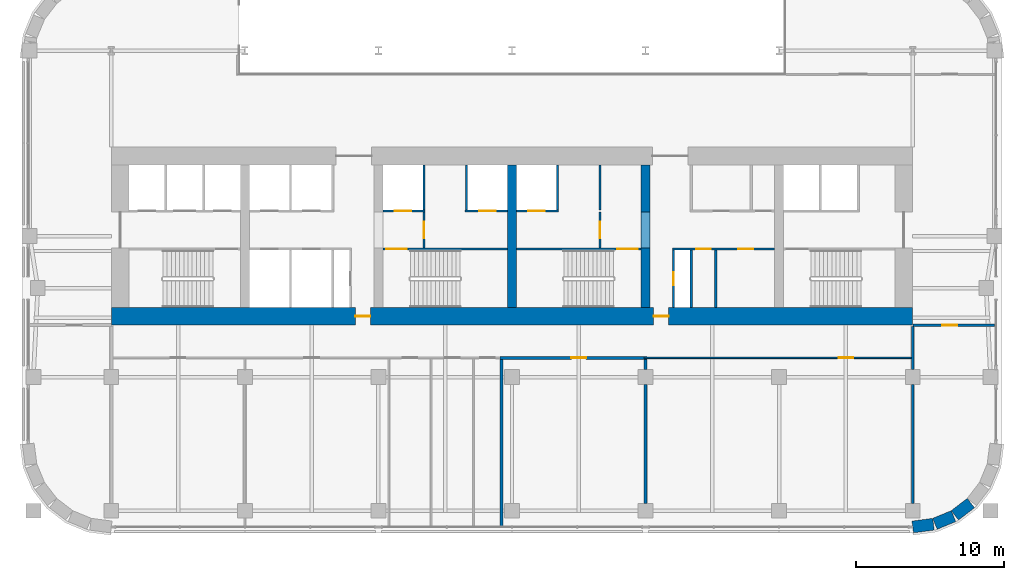
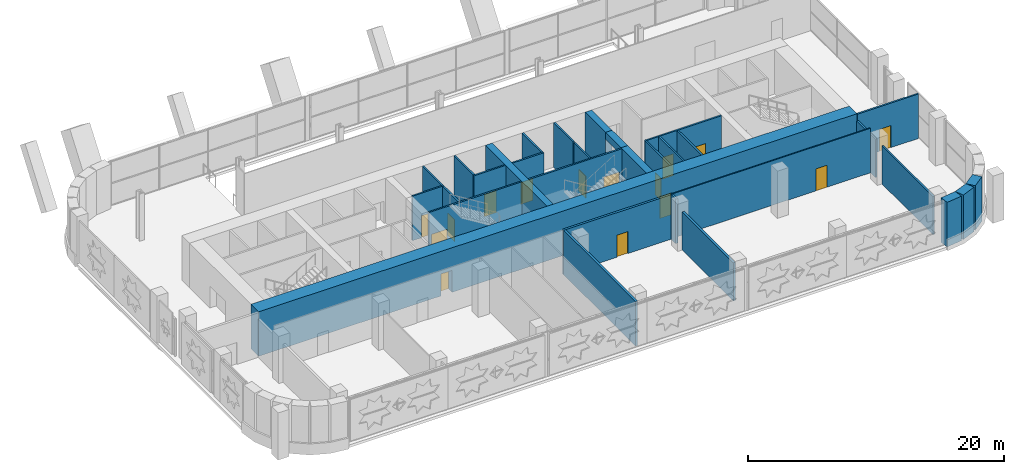
# One storey, part 14 of 21: 31 walls, 15 doors, 15 openings.
"""IFC4 building model written with IfcOpenShell, lengths in metres."""

from ifc_helpers import new_model, si_unit, direction, frame, frame_2d, origin, place, context, subcontext, project, spatial, rectangle, extrude, material, layer, layer_set, type_object, element, fill, save


model = new_model("IFC4")

# Units and contexts
model_context = context("Model", 3, precision=1e-05, world=origin(), true_north=direction((0.0, 1.0)))
body_context = subcontext(model_context, "Body", "Model", "MODEL_VIEW")
ifc_project = project(units=[si_unit("LENGTHUNIT", "METRE"), si_unit("AREAUNIT", "SQUARE_METRE"), si_unit("VOLUMEUNIT", "CUBIC_METRE"), si_unit("PLANEANGLEUNIT", "RADIAN"), si_unit("MASSUNIT", "GRAM", prefix="KILO")], contexts=[model_context])

# Site, building, storey
site_placement = place(None, origin())
site = spatial("IfcSite", under=ifc_project, at=site_placement, CompositionType="ELEMENT")
building_placement = place(site_placement, origin())
building = spatial("IfcBuilding", under=site, at=building_placement, Name="Zellij Exchange Tower", CompositionType="ELEMENT")
storey_placement = place(building_placement, frame((0.0, 0.0, 43.5)))
storey = spatial("IfcBuildingStorey", under=building, at=storey_placement, Name="L07", CompositionType="ELEMENT", Elevation=43.5)

# Walls
ifc_material_1 = material(Name="Concrete C70/85", Category="concrete")
ifc_layer_1 = layer(ifc_material_1, 0.60009765625)
ifc_layer_set_1 = layer_set([ifc_layer_1], Name="Concrete C70/85")
wall_type_1 = type_object("IfcWallType", Name="CORE-CW 600 C70/85", PredefinedType="SHEAR", material=ifc_layer_set_1)
wall_1_placement = place(storey_placement, frame((0.0, -12.800048828125, 0.0), z_axis=(0.0, 0.0, 1.0), x_axis=(0.0, 1.0, 0.0)))
element("IfcWall", 1, at=wall_1_placement, inside=storey, type_object=wall_type_1, Name="Core cross wall x 0 L07", PredefinedType="SHEAR", context=body_context, shape_type="SweptSolid", body=[
    extrude(rectangle(XDim=9.60009765625, YDim=0.60009765625, at=frame_2d((4.800048828125, 0.0))), origin(), (0.0, 0.0, 1.0), 4.25),
])
wall_2_placement = place(storey_placement, frame((9.0, -12.800048828125, 0.0), z_axis=(0.0, 0.0, 1.0), x_axis=(0.0, 1.0, 0.0)))
element("IfcWall", 2, at=wall_2_placement, inside=storey, type_object=wall_type_1, Name="Core cross wall pier x 9 a L07", PredefinedType="SHEAR", context=body_context, shape_type="SweptSolid", body=[
    extrude(rectangle(XDim=4.0, YDim=0.60009765625, at=frame_2d((2.0, 0.0))), origin(), (0.0, 0.0, 1.0), 4.25),
])
wall_3_placement = place(storey_placement, frame((9.0, -6.375, 0.0), z_axis=(0.0, 0.0, 1.0), x_axis=(0.0, 1.0, 0.0)))
element("IfcWall", 3, at=wall_3_placement, inside=storey, type_object=wall_type_1, Name="Core cross wall pier x 9 b L07", PredefinedType="SHEAR", context=body_context, shape_type="SweptSolid", body=[
    extrude(rectangle(XDim=3.175048828125, YDim=0.60009765625, at=frame_2d((1.58740234375, 0.0))), origin(), (0.0, 0.0, 1.0), 4.25),
])
wall_4_placement = place(storey_placement, frame((9.0, -8.800048828125, 3.60009765625), z_axis=(0.0, 0.0, 1.0), x_axis=(0.0, 1.0, 0.0)))
element("IfcWall", 4, at=wall_4_placement, inside=storey, type_object=wall_type_1, Name="Core cross wall over opening x 9 L07", PredefinedType="SHEAR", context=body_context, shape_type="SweptSolid", body=[
    extrude(rectangle(XDim=2.425048828125, YDim=0.60009765625, at=frame_2d((1.21240234375, 0.0))), origin(), (0.0, 0.0, 1.0), 0.64990234375),
])

# Wall, opening, door
ifc_material_2 = material(Name="Gypsum shaft wall system")
ifc_layer_2 = layer(ifc_material_2, 0.14990234375)
ifc_layer_set_2 = layer_set([ifc_layer_2], Name="Gypsum shaft wall system")
wall_type_2 = type_object("IfcWallType", Name="CORE-PW 150 Firefighting lobby wall", PredefinedType="PARTITIONING", material=ifc_layer_set_2)
wall_5_placement = place(storey_placement, frame((-5.925048828125, -8.800048828125, 0.0), z_axis=(0.0, 0.0, 1.0), x_axis=(0.0, 1.0, 0.0)))
wall_5 = element("IfcWall", 5, at=wall_5_placement, inside=storey, type_object=wall_type_2, Name="Firefighting lobby wall L07", PredefinedType="PARTITIONING", context=body_context, shape_type="SweptSolid", body=[
    extrude(rectangle(XDim=2.425048828125, YDim=0.14990234375, at=frame_2d((1.21240234375, 0.0))), origin(), (0.0, 0.0, 1.0), 4.25),
])
opening_1_placement = place(wall_5_placement, frame((0.662109375, 0.0, 0.0)))
opening_1 = element("IfcOpeningElement", 6, at=opening_1_placement, cuts=wall_5, Name="Opening CA-06.15", PredefinedType="OPENING", context=body_context, shape_type="SweptSolid", body=[
    extrude(rectangle(XDim=1.10009765625, YDim=2.10009765625, at=frame_2d((0.550048828125, 1.050048828125))), frame((0.0, 0.0869140625, 0.0), z_axis=(0.0, -1.0, 0.0), x_axis=(1.0, 0.0, 0.0)), (0.0, 0.0, 1.0), 0.173828125),
])
ifc_material_3 = material(Name="Hollow metal fire door")
door_type_1 = type_object("IfcDoorType", Name="CORE-D F Firefighting lobby door 1100x2100 1 HR", OperationType="NOTDEFINED", PredefinedType="DOOR", material=ifc_material_3)
door_1_placement = place(opening_1_placement, origin())
door_1 = element("IfcDoor", 7, at=door_1_placement, inside=storey, type_object=door_type_1, Name="Firefighting lobby door CA-06.15", OperationType="SINGLE_SWING_LEFT", OverallHeight=2.10009765625, OverallWidth=1.10009765625, PredefinedType="DOOR", context=body_context, shape_type="SweptSolid", body=[
    extrude(rectangle(XDim=1.10009765625, YDim=2.10009765625, at=frame_2d((0.550048828125, 1.050048828125))), frame((0.0, 0.02490234375, 0.0), z_axis=(0.0, -1.0, 0.0), x_axis=(1.0, 0.0, 0.0)), (0.0, 0.0, 1.0), 0.050048828125),
])
fill(opening_1, door_1)

wall_6_placement = place(storey_placement, frame((5.925048828125, -8.800048828125, 0.0), z_axis=(0.0, 0.0, 1.0), x_axis=(0.0, 1.0, 0.0)))
wall_6 = element("IfcWall", 8, at=wall_6_placement, inside=storey, type_object=wall_type_2, Name="Firefighting lobby wall L07", PredefinedType="PARTITIONING", context=body_context, shape_type="SweptSolid", body=[
    extrude(rectangle(XDim=2.425048828125, YDim=0.14990234375, at=frame_2d((1.21240234375, 0.0))), origin(), (0.0, 0.0, 1.0), 4.25),
])
opening_2_placement = place(wall_6_placement, frame((0.662109375, 0.0, 0.0)))
opening_2 = element("IfcOpeningElement", 9, at=opening_2_placement, cuts=wall_6, Name="Opening CA-06.18", PredefinedType="OPENING", context=body_context, shape_type="SweptSolid", body=[
    extrude(rectangle(XDim=1.10009765625, YDim=2.10009765625, at=frame_2d((0.550048828125, 1.050048828125))), frame((0.0, 0.0869140625, 0.0), z_axis=(0.0, -1.0, 0.0), x_axis=(1.0, 0.0, 0.0)), (0.0, 0.0, 1.0), 0.173828125),
])
door_2_placement = place(opening_2_placement, origin())
door_2 = element("IfcDoor", 10, at=door_2_placement, inside=storey, type_object=door_type_1, Name="Firefighting lobby door CA-06.18", OperationType="SINGLE_SWING_RIGHT", OverallHeight=2.10009765625, OverallWidth=1.10009765625, PredefinedType="DOOR", context=body_context, shape_type="SweptSolid", body=[
    extrude(rectangle(XDim=1.10009765625, YDim=2.10009765625, at=frame_2d((0.550048828125, 1.050048828125))), frame((0.0, 0.02490234375, 0.0), z_axis=(0.0, -1.0, 0.0), x_axis=(1.0, 0.0, 0.0)), (0.0, 0.0, 1.0), 0.050048828125),
])
fill(opening_2, door_2)

# Wall
ifc_material_4 = material(Name="Gypsum board partition")
ifc_layer_3 = layer(ifc_material_4, 0.14990234375)
ifc_layer_set_3 = layer_set([ifc_layer_3], Name="Gypsum board partition")
wall_type_3 = type_object("IfcWallType", Name="CORE-PW 150 Lift lobby wall", PredefinedType="PARTITIONING", material=ifc_layer_set_3)
wall_7_placement = place(storey_placement, frame((5.925048828125, -6.22509765625, 0.0), z_axis=(0.0, 0.0, 1.0), x_axis=(0.0, 1.0, 0.0)))
element("IfcWall", 11, at=wall_7_placement, inside=storey, type_object=wall_type_3, Name="Lift lobby wall L07", PredefinedType="PARTITIONING", context=body_context, shape_type="SweptSolid", body=[
    extrude(rectangle(XDim=3.025146484375, YDim=0.14990234375, at=frame_2d((1.5126953125, 0.0))), origin(), (0.0, 0.0, 1.0), 4.25),
])

# Wall, opening, door
wall_8_placement = place(storey_placement, frame((10.875, -12.800048828125, 0.0), z_axis=(0.0, 0.0, 1.0), x_axis=(0.0, 1.0, 0.0)))
wall_8 = element("IfcWall", 12, at=wall_8_placement, inside=storey, type_object=wall_type_3, Name="Lift lobby wall L07", PredefinedType="PARTITIONING", context=body_context, shape_type="SweptSolid", body=[
    extrude(rectangle(XDim=3.85009765625, YDim=0.14990234375, at=frame_2d((1.925048828125, 0.0))), origin(), (0.0, 0.0, 1.0), 4.25),
])
opening_3_placement = place(wall_8_placement, frame((1.47509765625, 0.0, 0.0)))
opening_3 = element("IfcOpeningElement", 13, at=opening_3_placement, cuts=wall_8, Name="Opening CA-06.22", PredefinedType="OPENING", context=body_context, shape_type="SweptSolid", body=[
    extrude(rectangle(XDim=0.89990234375, YDim=2.10009765625, at=frame_2d((0.449951171875, 1.050048828125))), frame((0.0, 0.0869140625, 0.0), z_axis=(0.0, -1.0, 0.0), x_axis=(1.0, 0.0, 0.0)), (0.0, 0.0, 1.0), 0.173828125),
])
door_type_2 = type_object("IfcDoorType", Name="CORE-D RD Riser door 900x2100 1.5 HR", OperationType="NOTDEFINED", PredefinedType="DOOR", material=ifc_material_3)
door_3_placement = place(opening_3_placement, origin())
door_3 = element("IfcDoor", 14, at=door_3_placement, inside=storey, type_object=door_type_2, Name="Riser door CA-06.22", OperationType="SINGLE_SWING_LEFT", OverallHeight=2.10009765625, OverallWidth=0.89990234375, PredefinedType="DOOR", context=body_context, shape_type="SweptSolid", body=[
    extrude(rectangle(XDim=0.89990234375, YDim=2.10009765625, at=frame_2d((0.449951171875, 1.050048828125))), frame((0.0, 0.02490234375, 0.0), z_axis=(0.0, -1.0, 0.0), x_axis=(1.0, 0.0, 0.0)), (0.0, 0.0, 1.0), 0.050048828125),
])
fill(opening_3, door_3)

# Walls
for number, where, z_axis, x_axis, name in (
    (15, (12.074951171875, -12.800048828125, 0.0), (0.0, 0.0, 1.0), (0.0, 1.0, 0.0), "Lift lobby wall L07"),
    (16, (13.72509765625, -12.800048828125, 0.0), (0.0, 0.0, 1.0), (0.0, 1.0, 0.0), "Lift lobby wall L07"),
):
    element("IfcWall", number, at=place(storey_placement, frame(where, z_axis=z_axis, x_axis=x_axis)), inside=storey, type_object=wall_type_3, Name=name, PredefinedType="PARTITIONING", context=body_context, shape_type="SweptSolid", body=[
        extrude(rectangle(XDim=3.85009765625, YDim=0.14990234375, at=frame_2d((1.925048828125, 0.0))), origin(), (0.0, 0.0, 1.0), 4.25),
    ])

# Wall, openings, doors
wall_9_placement = place(storey_placement, frame((10.800048828125, -8.875, 0.0), z_axis=(0.0, 0.0, 1.0), x_axis=(1.0, 0.0, 0.0)))
wall_9 = element("IfcWall", 17, at=wall_9_placement, inside=storey, type_object=wall_type_3, Name="Lift lobby wall L07", PredefinedType="PARTITIONING", context=body_context, shape_type="SweptSolid", body=[
    extrude(rectangle(XDim=6.89990234375, YDim=0.14990234375, at=frame_2d((3.449951171875, 0.0))), origin(), (0.0, 0.0, 1.0), 4.25),
])
opening_4_placement = place(wall_9_placement, frame((1.60009765625, 0.0, 0.0)))
opening_4 = element("IfcOpeningElement", 18, at=opening_4_placement, cuts=wall_9, Name="Opening CA-06.23", PredefinedType="OPENING", context=body_context, shape_type="SweptSolid", body=[
    extrude(rectangle(XDim=1.0, YDim=2.10009765625, at=frame_2d((0.5, 1.050048828125))), frame((0.0, 0.0869140625, 0.0), z_axis=(0.0, -1.0, 0.0), x_axis=(1.0, 0.0, 0.0)), (0.0, 0.0, 1.0), 0.173828125),
])
opening_5_placement = place(wall_9_placement, frame((4.449951171875, 0.0, 0.0)))
opening_5 = element("IfcOpeningElement", 19, at=opening_5_placement, cuts=wall_9, Name="Opening CA-06.25", PredefinedType="OPENING", context=body_context, shape_type="SweptSolid", body=[
    extrude(rectangle(XDim=1.0, YDim=2.10009765625, at=frame_2d((0.5, 1.050048828125))), frame((0.0, 0.0869140625, 0.0), z_axis=(0.0, -1.0, 0.0), x_axis=(1.0, 0.0, 0.0)), (0.0, 0.0, 1.0), 0.173828125),
])
door_type_3 = type_object("IfcDoorType", Name="CORE-D CD Core room door 1000x2100 1 HR", OperationType="NOTDEFINED", PredefinedType="DOOR", material=ifc_material_3)
door_4_placement = place(opening_4_placement, origin())
door_4 = element("IfcDoor", 20, at=door_4_placement, inside=storey, type_object=door_type_3, Name="Core room door CA-06.23", OperationType="SINGLE_SWING_RIGHT", OverallHeight=2.10009765625, OverallWidth=1.0, PredefinedType="DOOR", context=body_context, shape_type="SweptSolid", body=[
    extrude(rectangle(XDim=1.0, YDim=2.10009765625, at=frame_2d((0.5, 1.050048828125))), frame((0.0, 0.02490234375, 0.0), z_axis=(0.0, -1.0, 0.0), x_axis=(1.0, 0.0, 0.0)), (0.0, 0.0, 1.0), 0.050048828125),
])
fill(opening_4, door_4)
door_5_placement = place(opening_5_placement, origin())
door_5 = element("IfcDoor", 21, at=door_5_placement, inside=storey, type_object=door_type_3, Name="Core room door CA-06.25", OperationType="SINGLE_SWING_LEFT", OverallHeight=2.10009765625, OverallWidth=1.0, PredefinedType="DOOR", context=body_context, shape_type="SweptSolid", body=[
    extrude(rectangle(XDim=1.0, YDim=2.10009765625, at=frame_2d((0.5, 1.050048828125))), frame((0.0, 0.02490234375, 0.0), z_axis=(0.0, -1.0, 0.0), x_axis=(1.0, 0.0, 0.0)), (0.0, 0.0, 1.0), 0.050048828125),
])
fill(opening_5, door_5)

# Walls
ifc_layer_4 = layer(ifc_material_2, 0.14990234375)
ifc_layer_set_4 = layer_set([ifc_layer_4], Name="Gypsum shaft wall system")
wall_type_4 = type_object("IfcWallType", Name="CORE-PW 150 Lift shaft wall", PredefinedType="PARTITIONING", material=ifc_layer_set_4)
for number, where, z_axis, x_axis, name in (
    (22, (-3.074951171875, -6.22509765625, 0.0), (0.0, 0.0, 1.0), (0.0, 1.0, 0.0), "Lift shaft wall L07"),
    (23, (-5.925048828125, -6.22509765625, 0.0), (0.0, 0.0, 1.0), (0.0, 1.0, 0.0), "Lift shaft wall L07"),
    (24, (3.074951171875, -6.22509765625, 0.0), (0.0, 0.0, 1.0), (0.0, 1.0, 0.0), "Lift shaft wall L07"),
):
    element("IfcWall", number, at=place(storey_placement, frame(where, z_axis=z_axis, x_axis=x_axis)), inside=storey, type_object=wall_type_4, Name=name, PredefinedType="PARTITIONING", context=body_context, shape_type="SweptSolid", body=[
        extrude(rectangle(XDim=3.025146484375, YDim=0.14990234375, at=frame_2d((1.5126953125, 0.0))), origin(), (0.0, 0.0, 1.0), 4.25),
    ])

# Wall, opening, door
wall_10_placement = place(storey_placement, frame((-8.699951171875, -6.300048828125, 0.0), z_axis=(0.0, 0.0, 1.0), x_axis=(1.0, 0.0, 0.0)))
wall_10 = element("IfcWall", 25, at=wall_10_placement, inside=storey, type_object=wall_type_4, Name="Lift shaft wall L07", PredefinedType="PARTITIONING", context=body_context, shape_type="SweptSolid", body=[
    extrude(rectangle(XDim=2.849853515625, YDim=0.14990234375, at=frame_2d((1.4248046875, 0.0))), origin(), (0.0, 0.0, 1.0), 4.25),
])
opening_6_placement = place(wall_10_placement, frame((0.800048828125, 0.0, 0.0)))
opening_6 = element("IfcOpeningElement", 26, at=opening_6_placement, cuts=wall_10, Name="Opening CA-06.14", PredefinedType="OPENING", context=body_context, shape_type="SweptSolid", body=[
    extrude(rectangle(XDim=1.10009765625, YDim=2.10009765625, at=frame_2d((0.550048828125, 1.050048828125))), frame((0.0, 0.0869140625, 0.0), z_axis=(0.0, -1.0, 0.0), x_axis=(1.0, 0.0, 0.0)), (0.0, 0.0, 1.0), 0.173828125),
])
door_type_4 = type_object("IfcDoorType", Name="CORE-D LD Lift landing door 1100x2100 1.5 HR", OperationType="NOTDEFINED", PredefinedType="DOOR", material=ifc_material_3)
door_6_placement = place(opening_6_placement, origin())
door_6 = element("IfcDoor", 27, at=door_6_placement, inside=storey, type_object=door_type_4, Name="Lift landing door CA-06.14", OperationType="SLIDING_TO_RIGHT", OverallHeight=2.10009765625, OverallWidth=1.10009765625, PredefinedType="DOOR", context=body_context, shape_type="SweptSolid", body=[
    extrude(rectangle(XDim=1.10009765625, YDim=2.10009765625, at=frame_2d((0.550048828125, 1.050048828125))), frame((0.0, 0.02490234375, 0.0), z_axis=(0.0, -1.0, 0.0), x_axis=(1.0, 0.0, 0.0)), (0.0, 0.0, 1.0), 0.050048828125),
])
fill(opening_6, door_6)

wall_11_placement = place(storey_placement, frame((-3.14990234375, -6.300048828125, 0.0), z_axis=(0.0, 0.0, 1.0), x_axis=(1.0, 0.0, 0.0)))
wall_11 = element("IfcWall", 28, at=wall_11_placement, inside=storey, type_object=wall_type_4, Name="Lift shaft wall L07", PredefinedType="PARTITIONING", context=body_context, shape_type="SweptSolid", body=[
    extrude(rectangle(XDim=2.849853515625, YDim=0.14990234375, at=frame_2d((1.4248046875, 0.0))), origin(), (0.0, 0.0, 1.0), 4.25),
])
opening_7_placement = place(wall_11_placement, frame((0.949951171875, 0.0, 0.0)))
opening_7 = element("IfcOpeningElement", 29, at=opening_7_placement, cuts=wall_11, Name="Opening CA-06.16", PredefinedType="OPENING", context=body_context, shape_type="SweptSolid", body=[
    extrude(rectangle(XDim=1.10009765625, YDim=2.10009765625, at=frame_2d((0.550048828125, 1.050048828125))), frame((0.0, 0.0869140625, 0.0), z_axis=(0.0, -1.0, 0.0), x_axis=(1.0, 0.0, 0.0)), (0.0, 0.0, 1.0), 0.173828125),
])
door_7_placement = place(opening_7_placement, origin())
door_7 = element("IfcDoor", 30, at=door_7_placement, inside=storey, type_object=door_type_4, Name="Lift landing door CA-06.16", OperationType="SLIDING_TO_RIGHT", OverallHeight=2.10009765625, OverallWidth=1.10009765625, PredefinedType="DOOR", context=body_context, shape_type="SweptSolid", body=[
    extrude(rectangle(XDim=1.10009765625, YDim=2.10009765625, at=frame_2d((0.550048828125, 1.050048828125))), frame((0.0, 0.02490234375, 0.0), z_axis=(0.0, -1.0, 0.0), x_axis=(1.0, 0.0, 0.0)), (0.0, 0.0, 1.0), 0.050048828125),
])
fill(opening_7, door_7)

wall_12_placement = place(storey_placement, frame((0.300048828125, -6.300048828125, 0.0), z_axis=(0.0, 0.0, 1.0), x_axis=(1.0, 0.0, 0.0)))
wall_12 = element("IfcWall", 31, at=wall_12_placement, inside=storey, type_object=wall_type_4, Name="Lift shaft wall L07", PredefinedType="PARTITIONING", context=body_context, shape_type="SweptSolid", body=[
    extrude(rectangle(XDim=2.849853515625, YDim=0.14990234375, at=frame_2d((1.4248046875, 0.0))), origin(), (0.0, 0.0, 1.0), 4.25),
])
opening_8_placement = place(wall_12_placement, frame((0.800048828125, 0.0, 0.0)))
opening_8 = element("IfcOpeningElement", 32, at=opening_8_placement, cuts=wall_12, Name="Opening CA-06.17", PredefinedType="OPENING", context=body_context, shape_type="SweptSolid", body=[
    extrude(rectangle(XDim=1.10009765625, YDim=2.10009765625, at=frame_2d((0.550048828125, 1.050048828125))), frame((0.0, 0.0869140625, 0.0), z_axis=(0.0, -1.0, 0.0), x_axis=(1.0, 0.0, 0.0)), (0.0, 0.0, 1.0), 0.173828125),
])
door_8_placement = place(opening_8_placement, origin())
door_8 = element("IfcDoor", 33, at=door_8_placement, inside=storey, type_object=door_type_4, Name="Lift landing door CA-06.17", OperationType="SLIDING_TO_LEFT", OverallHeight=2.10009765625, OverallWidth=1.10009765625, PredefinedType="DOOR", context=body_context, shape_type="SweptSolid", body=[
    extrude(rectangle(XDim=1.10009765625, YDim=2.10009765625, at=frame_2d((0.550048828125, 1.050048828125))), frame((0.0, 0.02490234375, 0.0), z_axis=(0.0, -1.0, 0.0), x_axis=(1.0, 0.0, 0.0)), (0.0, 0.0, 1.0), 0.050048828125),
])
fill(opening_8, door_8)

# Wall, openings, doors
ifc_layer_5 = layer(ifc_material_1, 1.199951171875)
ifc_layer_set_5 = layer_set([ifc_layer_5], Name="Concrete C70/85")
wall_type_5 = type_object("IfcWallType", Name="CORE-SW 1200 C70/85", PredefinedType="SHEAR", material=ifc_layer_set_5)
wall_13_placement = place(storey_placement, frame((-27.0, -13.39990234375, 0.0), z_axis=(0.0, 0.0, 1.0), x_axis=(1.0, 0.0, 0.0)))
wall_13 = element("IfcWall", 34, at=wall_13_placement, inside=storey, type_object=wall_type_5, Name="Core shear wall rear L07", PredefinedType="SHEAR", context=body_context, shape_type="SweptSolid", body=[
    extrude(rectangle(XDim=54.0, YDim=1.199951171875, at=frame_2d((27.0, 0.0))), origin(), (0.0, 0.0, 1.0), 4.25),
])
opening_9_placement = place(wall_13_placement, frame((16.449951171875, 0.0, 0.0)))
opening_9 = element("IfcOpeningElement", 35, at=opening_9_placement, cuts=wall_13, Name="Opening CA-06.12", PredefinedType="OPENING", context=body_context, shape_type="SweptSolid", body=[
    extrude(rectangle(XDim=1.0, YDim=2.10009765625, at=frame_2d((0.5, 1.050048828125))), frame((0.0, 0.61181640625, 0.0), z_axis=(0.0, -1.0, 0.0), x_axis=(1.0, 0.0, 0.0)), (0.0, 0.0, 1.0), 1.223876953125),
])
opening_10_placement = place(wall_13_placement, frame((36.550048828125, 0.0, 0.0)))
opening_10 = element("IfcOpeningElement", 36, at=opening_10_placement, cuts=wall_13, Name="Opening CA-06.20", PredefinedType="OPENING", context=body_context, shape_type="SweptSolid", body=[
    extrude(rectangle(XDim=1.0, YDim=2.10009765625, at=frame_2d((0.5, 1.050048828125))), frame((0.0, 0.61181640625, 0.0), z_axis=(0.0, -1.0, 0.0), x_axis=(1.0, 0.0, 0.0)), (0.0, 0.0, 1.0), 1.223876953125),
])
door_type_5 = type_object("IfcDoorType", Name="CORE-D CR Core rear door 1000x2100 20 MIN", OperationType="NOTDEFINED", PredefinedType="DOOR", material=ifc_material_3)
door_9_placement = place(opening_9_placement, origin())
door_9 = element("IfcDoor", 37, at=door_9_placement, inside=storey, type_object=door_type_5, Name="Core rear door CA-06.12", OperationType="SINGLE_SWING_RIGHT", OverallHeight=2.10009765625, OverallWidth=1.0, PredefinedType="DOOR", context=body_context, shape_type="SweptSolid", body=[
    extrude(rectangle(XDim=1.0, YDim=2.10009765625, at=frame_2d((0.5, 1.050048828125))), frame((0.0, 0.02490234375, 0.0), z_axis=(0.0, -1.0, 0.0), x_axis=(1.0, 0.0, 0.0)), (0.0, 0.0, 1.0), 0.050048828125),
])
fill(opening_9, door_9)
door_10_placement = place(opening_10_placement, origin())
door_10 = element("IfcDoor", 38, at=door_10_placement, inside=storey, type_object=door_type_5, Name="Core rear door CA-06.20", OperationType="SINGLE_SWING_LEFT", OverallHeight=2.10009765625, OverallWidth=1.0, PredefinedType="DOOR", context=body_context, shape_type="SweptSolid", body=[
    extrude(rectangle(XDim=1.0, YDim=2.10009765625, at=frame_2d((0.5, 1.050048828125))), frame((0.0, 0.02490234375, 0.0), z_axis=(0.0, -1.0, 0.0), x_axis=(1.0, 0.0, 0.0)), (0.0, 0.0, 1.0), 0.050048828125),
])
fill(opening_10, door_10)

# Wall, opening, door
ifc_layer_6 = layer(ifc_material_1, 0.14990234375)
ifc_layer_set_6 = layer_set([ifc_layer_6], Name="Concrete C70/85")
wall_type_6 = type_object("IfcWallType", Name="CORE-SWS 150 C70/85", PredefinedType="SHEAR", material=ifc_layer_set_6)
wall_14_placement = place(storey_placement, frame((-8.699951171875, -8.875, 0.0), z_axis=(0.0, 0.0, 1.0), x_axis=(1.0, 0.0, 0.0)))
wall_14 = element("IfcWall", 39, at=wall_14_placement, inside=storey, type_object=wall_type_6, Name="Stair enclosure wall L07", PredefinedType="SHEAR", context=body_context, shape_type="SweptSolid", body=[
    extrude(rectangle(XDim=8.39990234375, YDim=0.14990234375, at=frame_2d((4.199951171875, 0.0))), origin(), (0.0, 0.0, 1.0), 4.25),
])
opening_11_placement = place(wall_14_placement, frame((0.22509765625, 0.0, 0.0)))
opening_11 = element("IfcOpeningElement", 40, at=opening_11_placement, cuts=wall_14, Name="Opening CA-06.13", PredefinedType="OPENING", context=body_context, shape_type="SweptSolid", body=[
    extrude(rectangle(XDim=1.39990234375, YDim=2.10009765625, at=frame_2d((0.699951171875, 1.050048828125))), frame((0.0, 0.0869140625, 0.0), z_axis=(0.0, -1.0, 0.0), x_axis=(1.0, 0.0, 0.0)), (0.0, 0.0, 1.0), 0.173828125),
])
door_type_6 = type_object("IfcDoorType", Name="CORE-D SD Stair door 1400x2100 1.5 HR", OperationType="NOTDEFINED", PredefinedType="DOOR", material=ifc_material_3)
door_11_placement = place(opening_11_placement, origin())
door_11 = element("IfcDoor", 41, at=door_11_placement, inside=storey, type_object=door_type_6, Name="Stair door CA-06.13", OperationType="DOUBLE_DOOR_SINGLE_SWING", OverallHeight=2.10009765625, OverallWidth=1.39990234375, PredefinedType="DOOR", context=body_context, shape_type="SweptSolid", body=[
    extrude(rectangle(XDim=1.39990234375, YDim=2.10009765625, at=frame_2d((0.699951171875, 1.050048828125))), frame((0.0, 0.02490234375, 0.0), z_axis=(0.0, -1.0, 0.0), x_axis=(1.0, 0.0, 0.0)), (0.0, 0.0, 1.0), 0.050048828125),
])
fill(opening_11, door_11)

wall_15_placement = place(storey_placement, frame((0.300048828125, -8.875, 0.0), z_axis=(0.0, 0.0, 1.0), x_axis=(1.0, 0.0, 0.0)))
wall_15 = element("IfcWall", 42, at=wall_15_placement, inside=storey, type_object=wall_type_6, Name="Stair enclosure wall L07", PredefinedType="SHEAR", context=body_context, shape_type="SweptSolid", body=[
    extrude(rectangle(XDim=8.39990234375, YDim=0.14990234375, at=frame_2d((4.199951171875, 0.0))), origin(), (0.0, 0.0, 1.0), 4.25),
])
opening_12_placement = place(wall_15_placement, frame((6.77490234375, 0.0, 0.0)))
opening_12 = element("IfcOpeningElement", 43, at=opening_12_placement, cuts=wall_15, Name="Opening CA-06.19", PredefinedType="OPENING", context=body_context, shape_type="SweptSolid", body=[
    extrude(rectangle(XDim=1.39990234375, YDim=2.10009765625, at=frame_2d((0.699951171875, 1.050048828125))), frame((0.0, 0.0869140625, 0.0), z_axis=(0.0, -1.0, 0.0), x_axis=(1.0, 0.0, 0.0)), (0.0, 0.0, 1.0), 0.173828125),
])
door_12_placement = place(opening_12_placement, origin())
door_12 = element("IfcDoor", 44, at=door_12_placement, inside=storey, type_object=door_type_6, Name="Stair door CA-06.19", OperationType="DOUBLE_DOOR_SINGLE_SWING", OverallHeight=2.10009765625, OverallWidth=1.39990234375, PredefinedType="DOOR", context=body_context, shape_type="SweptSolid", body=[
    extrude(rectangle(XDim=1.39990234375, YDim=2.10009765625, at=frame_2d((0.699951171875, 1.050048828125))), frame((0.0, 0.02490234375, 0.0), z_axis=(0.0, -1.0, 0.0), x_axis=(1.0, 0.0, 0.0)), (0.0, 0.0, 1.0), 0.050048828125),
])
fill(opening_12, door_12)

# Walls
ifc_material_5 = material(Name="Precast concrete C40/50", Category="concrete")
ifc_layer_7 = layer(ifc_material_5, 0.800048828125)
ifc_layer_set_7 = layer_set([ifc_layer_7], Name="Precast concrete C40/50")
wall_type_7 = type_object("IfcWallType", Name="ENV-EW1 Precast stone-piered wall 800", PredefinedType="SOLIDWALL", material=ifc_layer_set_7)
wall_16_placement = place(storey_placement, frame((26.999755859375, -27.5966796875, 0.0), z_axis=(0.0, 0.0, 1.0), x_axis=(0.99144603414, 0.130517283865, 0.0)))
element("IfcWall", 45, at=wall_16_placement, inside=storey, type_object=wall_type_7, Name="fac.L07.01", PredefinedType="SOLIDWALL", context=body_context, shape_type="SweptSolid", body=[
    extrude(rectangle(XDim=1.408447265625, YDim=0.800048828125, at=frame_2d((0.7041015625, 0.0))), origin(), (0.0, 0.0, 1.0), 4.25),
])
wall_17_placement = place(storey_placement, frame((28.497314453125, -27.3857421875, 0.0), z_axis=(0.0, 0.0, 1.0), x_axis=(0.923847774587, 0.38276009378, 0.0)))
element("IfcWall", 46, at=wall_17_placement, inside=storey, type_object=wall_type_7, Name="fac.L07.02", PredefinedType="SOLIDWALL", context=body_context, shape_type="SweptSolid", body=[
    extrude(rectangle(XDim=1.35546875, YDim=0.800048828125, at=frame_2d((0.677734375, 0.0))), origin(), (0.0, 0.0, 1.0), 4.25),
])
wall_18_placement = place(storey_placement, frame((29.840087890625, -26.814697265625, 0.0), z_axis=(0.0, 0.0, 1.0), x_axis=(0.793272915452, 0.608866226366, 0.0)))
element("IfcWall", 47, at=wall_18_placement, inside=storey, type_object=wall_type_7, Name="fac.L07.03", PredefinedType="SOLIDWALL", context=body_context, shape_type="SweptSolid", body=[
    extrude(rectangle(XDim=1.355712890625, YDim=0.800048828125, at=frame_2d((0.677734375, 0.0))), origin(), (0.0, 0.0, 1.0), 4.25),
])
ifc_material_6 = material(Name="Blockwork partition", Category="masonry")
ifc_layer_8 = layer(ifc_material_6, 0.199951171875)
ifc_layer_set_8 = layer_set([ifc_layer_8], Name="Blockwork partition")
wall_type_8 = type_object("IfcWallType", Name="FIT-BLOCKWORK-200", PredefinedType="PARTITIONING", material=ifc_layer_set_8)
wall_19_placement = place(storey_placement, frame((-0.699951171875, -27.51611328125, 0.0), z_axis=(0.0, 0.0, 1.0), x_axis=(0.0, 1.0, 0.0)))
element("IfcWall", 48, at=wall_19_placement, inside=storey, type_object=wall_type_8, Name="FIT-BLOCKWORK-200 007", PredefinedType="PARTITIONING", context=body_context, shape_type="SweptSolid", body=[
    extrude(rectangle(XDim=11.216064453125, YDim=0.199951171875, at=frame_2d((5.60791015625, 0.0))), origin(), (0.0, 0.0, 1.0), 4.25),
])
wall_20_placement = place(storey_placement, frame((9.0, -26.0, 0.0), z_axis=(0.0, 0.0, 1.0), x_axis=(0.0, 1.0, 0.0)))
element("IfcWall", 49, at=wall_20_placement, inside=storey, type_object=wall_type_8, Name="FIT-BLOCKWORK-200 008", PredefinedType="PARTITIONING", context=body_context, shape_type="SweptSolid", body=[
    extrude(rectangle(XDim=8.0, YDim=0.199951171875, at=frame_2d((4.0, 0.0))), origin(), (0.0, 0.0, 1.0), 3.637939453125),
])
wall_21_placement = place(storey_placement, frame((9.0, -17.0, 0.0), z_axis=(0.0, 0.0, 1.0), x_axis=(0.0, 1.0, 0.0)))
element("IfcWall", 50, at=wall_21_placement, inside=storey, type_object=wall_type_8, Name="FIT-BLOCKWORK-200 009", PredefinedType="PARTITIONING", context=body_context, shape_type="SweptSolid", body=[
    extrude(rectangle(XDim=0.699951171875, YDim=0.199951171875, at=frame_2d((0.35009765625, 0.0))), origin(), (0.0, 0.0, 1.0), 4.25),
])

# Wall, opening, door
wall_22_placement = place(storey_placement, frame((-0.800048828125, -16.199951171875, 0.0), z_axis=(0.0, 0.0, 1.0), x_axis=(1.0, 0.0, 0.0)))
wall_22 = element("IfcWall", 51, at=wall_22_placement, inside=storey, type_object=wall_type_8, Name="FIT-BLOCKWORK-200 015", PredefinedType="PARTITIONING", context=body_context, shape_type="SweptSolid", body=[
    extrude(rectangle(XDim=9.900146484375, YDim=0.199951171875, at=frame_2d((4.9501953125, 0.0))), origin(), (0.0, 0.0, 1.0), 4.25),
])
opening_13_placement = place(wall_22_placement, frame((4.800048828125, 0.0, 0.0)))
opening_13 = element("IfcOpeningElement", 52, at=opening_13_placement, cuts=wall_22, Name="Opening G7.06", PredefinedType="OPENING", context=body_context, shape_type="SweptSolid", body=[
    extrude(rectangle(XDim=1.0, YDim=2.10009765625, at=frame_2d((0.5, 1.050048828125))), frame((0.0, 0.11181640625, 0.0), z_axis=(0.0, -1.0, 0.0), x_axis=(1.0, 0.0, 0.0)), (0.0, 0.0, 1.0), 0.223876953125),
])
ifc_material_7 = material(Name="Timber door set", Category="wood")
door_type_7 = type_object("IfcDoorType", Name="FIT-D2-WIDE-1000X2100", OperationType="SINGLE_SWING_LEFT", PredefinedType="DOOR", material=ifc_material_7)
door_13_placement = place(opening_13_placement, origin())
door_13 = element("IfcDoor", 53, at=door_13_placement, inside=storey, type_object=door_type_7, Name="Door G7.06", OperationType="SINGLE_SWING_LEFT", OverallHeight=2.10009765625, OverallWidth=1.0, PredefinedType="DOOR", context=body_context, shape_type="SweptSolid", body=[
    extrude(rectangle(XDim=1.0, YDim=2.10009765625, at=frame_2d((0.5, 1.050048828125))), frame((0.0, 0.02490234375, 0.0), z_axis=(0.0, -1.0, 0.0), x_axis=(1.0, 0.0, 0.0)), (0.0, 0.0, 1.0), 0.050048828125),
])
fill(opening_13, door_13)

ifc_material_8 = material(Name="Gypsum board partition on steel studs", Category="steel")
ifc_layer_9 = layer(ifc_material_8, 0.10009765625)
ifc_layer_set_9 = layer_set([ifc_layer_9], Name="Gypsum board partition on steel studs")
wall_type_9 = type_object("IfcWallType", Name="FIT-PARTITION-100", PredefinedType="PARTITIONING", material=ifc_layer_set_9)
wall_23_placement = place(storey_placement, frame((8.89990234375, -16.199951171875, 0.0), z_axis=(0.0, 0.0, 1.0), x_axis=(1.0, 0.0, 0.0)))
wall_23 = element("IfcWall", 54, at=wall_23_placement, inside=storey, type_object=wall_type_9, Name="FIT-PARTITION-100 016", PredefinedType="PARTITIONING", context=body_context, shape_type="SweptSolid", body=[
    extrude(rectangle(XDim=18.025146484375, YDim=0.10009765625, at=frame_2d((9.0126953125, 0.0))), origin(), (0.0, 0.0, 1.0), 4.25),
])
opening_14_placement = place(wall_23_placement, frame((13.10009765625, 0.0, 0.0)))
opening_14 = element("IfcOpeningElement", 55, at=opening_14_placement, cuts=wall_23, Name="Opening G7.07", PredefinedType="OPENING", context=body_context, shape_type="SweptSolid", body=[
    extrude(rectangle(XDim=1.0, YDim=2.10009765625, at=frame_2d((0.5, 1.050048828125))), frame((0.0, 0.06201171875, 0.0), z_axis=(0.0, -1.0, 0.0), x_axis=(1.0, 0.0, 0.0)), (0.0, 0.0, 1.0), 0.1240234375),
])
door_14_placement = place(opening_14_placement, origin())
door_14 = element("IfcDoor", 56, at=door_14_placement, inside=storey, type_object=door_type_7, Name="Door G7.07", OperationType="SINGLE_SWING_LEFT", OverallHeight=2.10009765625, OverallWidth=1.0, PredefinedType="DOOR", context=body_context, shape_type="SweptSolid", body=[
    extrude(rectangle(XDim=1.0, YDim=2.10009765625, at=frame_2d((0.5, 1.050048828125))), frame((0.0, 0.02490234375, 0.0), z_axis=(0.0, -1.0, 0.0), x_axis=(1.0, 0.0, 0.0)), (0.0, 0.0, 1.0), 0.050048828125),
])
fill(opening_14, door_14)

# Walls
ifc_material_9 = material(Name="Gypsum board shaft-wall partition", Category="gypsum")
ifc_layer_10 = layer(ifc_material_9, 0.14990234375)
ifc_layer_set_10 = layer_set([ifc_layer_10], Name="Gypsum board shaft-wall partition")
wall_type_10 = type_object("IfcWallType", Name="FIT-PARTITION-150-EI60", PredefinedType="PARTITIONING", material=ifc_layer_set_10)
wall_24_placement = place(storey_placement, frame((27.0, -26.0, 0.0), z_axis=(0.0, 0.0, 1.0), x_axis=(0.0, 1.0, 0.0)))
element("IfcWall", 57, at=wall_24_placement, inside=storey, type_object=wall_type_10, Name="FIT-PARTITION-150-EI60 012", PredefinedType="PARTITIONING", context=body_context, shape_type="SweptSolid", body=[
    extrude(rectangle(XDim=8.0, YDim=0.14990234375, at=frame_2d((4.0, 0.0))), origin(), (0.0, 0.0, 1.0), 3.637939453125),
])
wall_25_placement = place(storey_placement, frame((27.0, -17.0, 0.0), z_axis=(0.0, 0.0, 1.0), x_axis=(0.0, 1.0, 0.0)))
element("IfcWall", 58, at=wall_25_placement, inside=storey, type_object=wall_type_10, Name="FIT-PARTITION-150-EI60 013", PredefinedType="PARTITIONING", context=body_context, shape_type="SweptSolid", body=[
    extrude(rectangle(XDim=2.925048828125, YDim=0.14990234375, at=frame_2d((1.46240234375, 0.0))), origin(), (0.0, 0.0, 1.0), 3.637939453125),
])

# Wall, opening, door
wall_26_placement = place(storey_placement, frame((27.0048828125, -14.0, 0.0), z_axis=(0.0, 0.0, 1.0), x_axis=(1.0, 0.0, 0.0)))
wall_26 = element("IfcWall", 59, at=wall_26_placement, inside=storey, type_object=wall_type_10, Name="FIT-PARTITION-150-EI60 018", PredefinedType="PARTITIONING", context=body_context, shape_type="SweptSolid", body=[
    extrude(rectangle(XDim=5.51123046875, YDim=0.14990234375, at=frame_2d((2.755615234375, 0.0))), origin(), (0.0, 0.0, 1.0), 4.25),
])
opening_15_placement = place(wall_26_placement, frame((1.9951171875, 0.0, 0.0)))
opening_15 = element("IfcOpeningElement", 60, at=opening_15_placement, cuts=wall_26, Name="Opening G7.09", PredefinedType="OPENING", context=body_context, shape_type="SweptSolid", body=[
    extrude(rectangle(XDim=1.0, YDim=2.10009765625, at=frame_2d((0.5, 1.050048828125))), frame((0.0, 0.0869140625, 0.0), z_axis=(0.0, -1.0, 0.0), x_axis=(1.0, 0.0, 0.0)), (0.0, 0.0, 1.0), 0.173828125),
])
door_15_placement = place(opening_15_placement, origin())
door_15 = element("IfcDoor", 61, at=door_15_placement, inside=storey, type_object=door_type_7, Name="Door G7.09", OperationType="SINGLE_SWING_RIGHT", OverallHeight=2.10009765625, OverallWidth=1.0, PredefinedType="DOOR", context=body_context, shape_type="SweptSolid", body=[
    extrude(rectangle(XDim=1.0, YDim=2.10009765625, at=frame_2d((0.5, 1.050048828125))), frame((0.0, 0.02490234375, 0.0), z_axis=(0.0, -1.0, 0.0), x_axis=(1.0, 0.0, 0.0)), (0.0, 0.0, 1.0), 0.050048828125),
])
fill(opening_15, door_15)

save(model, "model.ifc")
